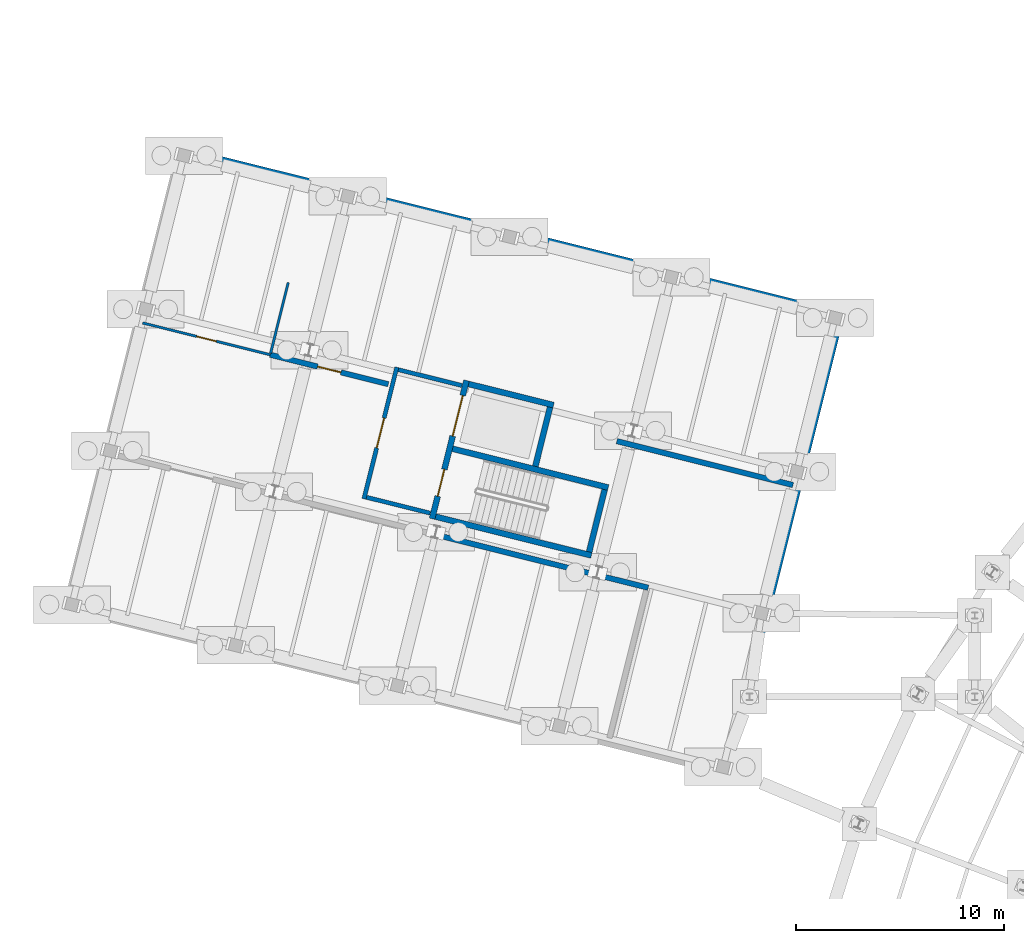
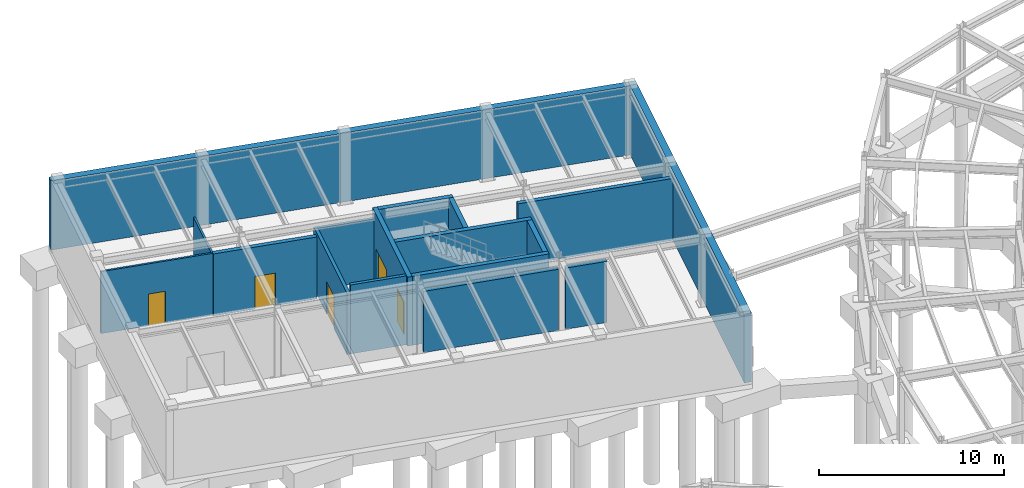
# One storey, part 43 of 50: 17 walls, 5 doors, 5 openings.
"""IFC4 building model written with IfcOpenShell, lengths in metres."""

from ifc_helpers import new_model, si_unit, direction, frame, frame_2d, origin, place, context, subcontext, project, spatial, rectangle, extrude, material, layer, layer_set, type_object, element, fill, save


model = new_model("IFC4")

# Units and contexts
model_context = context("Model", 3, precision=1e-05, world=origin(), true_north=direction((0.0, 1.0)))
body_context = subcontext(model_context, "Body", "Model", "MODEL_VIEW")
ifc_project = project(units=[si_unit("LENGTHUNIT", "METRE"), si_unit("AREAUNIT", "SQUARE_METRE"), si_unit("VOLUMEUNIT", "CUBIC_METRE"), si_unit("PLANEANGLEUNIT", "RADIAN"), si_unit("MASSUNIT", "GRAM", prefix="KILO")], contexts=[model_context])

# Site, building, storey
site_placement = place(None, origin())
site = spatial("IfcSite", under=ifc_project, at=site_placement, CompositionType="ELEMENT")
building_placement = place(site_placement, origin())
building = spatial("IfcBuilding", under=site, at=building_placement, Name="Varnklinge Art Gallery", CompositionType="ELEMENT")
storey_placement = place(building_placement, frame((0.0, 0.0, -4.800048828125)))
storey = spatial("IfcBuildingStorey", under=building, at=storey_placement, Name="B01", CompositionType="ELEMENT", Elevation=-4.800048828125)

# Wall, opening, door
ifc_material_1 = material(Name="Gypsum Board Partition", Category="gypsum")
ifc_layer_1 = layer(ifc_material_1, 0.1201171875)
ifc_layer_set_1 = layer_set([ifc_layer_1], Name="Gypsum Board Partition")
wall_type_1 = type_object("IfcWallType", Name="IW-12", PredefinedType="PARTITIONING", material=ifc_layer_set_1)
wall_1_placement = place(storey_placement, frame((9.086181640625, 99.135009765625, 0.0), z_axis=(0.0, 0.0, 1.0), x_axis=(0.970301709613, -0.241897896483, 0.0)))
wall_1 = element("IfcWall", 1, at=wall_1_placement, inside=storey, type_object=wall_type_1, Name="B01 Partition Wall IW-B01-0025", PredefinedType="PARTITIONING", context=body_context, shape_type="SweptSolid", body=[
    extrude(rectangle(XDim=6.305908203125, YDim=0.1201171875, at=frame_2d((3.15283203125, 0.0))), origin(), (0.0, 0.0, 1.0), 4.090087890625),
])
opening_1_placement = place(wall_1_placement, frame((2.673095703125, 0.0, 0.0)))
opening_1 = element("IfcOpeningElement", 2, at=opening_1_placement, cuts=wall_1, Name="Opening D-B01-127", PredefinedType="OPENING", context=body_context, shape_type="SweptSolid", body=[
    extrude(rectangle(XDim=0.9599609375, YDim=2.10009765625, at=frame_2d((0.47998046875, 1.050048828125))), frame((0.0, 0.070068359375, 0.0), z_axis=(0.0, -1.0, 0.0), x_axis=(1.0, 0.0, 0.0)), (0.0, 0.0, 1.0), 0.14013671875),
])
ifc_material_2 = material(Name="Oak Timber Leaf", Category="wood")
door_type_1 = type_object("IfcDoorType", Name="ID-02", OperationType="SINGLE_SWING_RIGHT", PredefinedType="DOOR", material=ifc_material_2)
door_1_placement = place(opening_1_placement, origin())
door_1 = element("IfcDoor", 3, at=door_1_placement, inside=storey, type_object=door_type_1, Name="B01 B01 Staff Accessible WC Door D-B01-127", OperationType="SINGLE_SWING_LEFT", OverallHeight=2.10009765625, OverallWidth=0.9599609375, PredefinedType="DOOR", context=body_context, shape_type="SweptSolid", body=[
    extrude(rectangle(XDim=0.9599609375, YDim=2.10009765625, at=frame_2d((0.47998046875, 1.050048828125))), frame((0.0, 0.02490234375, 0.0), z_axis=(0.0, -1.0, 0.0), x_axis=(1.0, 0.0, 0.0)), (0.0, 0.0, 1.0), 0.050048828125),
])
fill(opening_1, door_1)

# Walls
wall_2_placement = place(storey_placement, frame((16.068603515625, 101.073486328125, 0.0), z_axis=(0.0, 0.0, 1.0), x_axis=(-0.241976747044, -0.970282048628, 0.0)))
element("IfcWall", 4, at=wall_2_placement, inside=storey, type_object=wall_type_1, Name="B01 Partition Wall IW-B01-0037", PredefinedType="PARTITIONING", context=body_context, shape_type="SweptSolid", body=[
    extrude(rectangle(XDim=3.494873046875, YDim=0.1201171875, at=frame_2d((1.74755859375, 0.0))), origin(), (0.0, 0.0, 1.0), 4.0400390625),
])
ifc_material_3 = material(Name="Concrete C40/50", Category="concrete")
ifc_layer_2 = layer(ifc_material_3, 0.199951171875)
ifc_layer_set_2 = layer_set([ifc_layer_2], Name="Concrete C40/50")
wall_type_2 = type_object("IfcWallType", Name="IW-20", PredefinedType="PARTITIONING", material=ifc_layer_set_2)
wall_3_placement = place(storey_placement, frame((19.824462890625, 90.770263671875, 0.0), z_axis=(0.0, 0.0, 1.0), x_axis=(0.970306396763, -0.241879094592, 0.0)))
element("IfcWall", 5, at=wall_3_placement, inside=storey, type_object=wall_type_2, Name="B01 Core C4 Lobby South Wall", PredefinedType="PARTITIONING", context=body_context, shape_type="SweptSolid", body=[
    extrude(rectangle(XDim=3.150146484375, YDim=0.199951171875, at=frame_2d((1.5751953125, 0.0))), origin(), (0.0, 0.0, 1.0), 4.550048828125),
])
wall_4_placement = place(storey_placement, frame((24.407470703125, 96.130859375, 0.0), z_axis=(0.0, 0.0, 1.0), x_axis=(-0.970301862046, 0.241897285042, 0.0)))
element("IfcWall", 6, at=wall_4_placement, inside=storey, type_object=wall_type_2, Name="B01 Core C4 Lobby North Wall", PredefinedType="PARTITIONING", context=body_context, shape_type="SweptSolid", body=[
    extrude(rectangle(XDim=3.14990234375, YDim=0.199951171875, at=frame_2d((1.574951171875, 0.0))), origin(), (0.0, 0.0, 1.0), 4.0400390625),
])

# Wall, opening, door
wall_5_placement = place(storey_placement, frame((19.703369140625, 90.697509765625, 0.0), z_axis=(0.0, 0.0, 1.0), x_axis=(0.24192671796, 0.970294523914, 0.0)))
wall_5 = element("IfcWall", 7, at=wall_5_placement, inside=storey, type_object=wall_type_2, Name="B01 Core C4 Lobby Corridor Wall", PredefinedType="PARTITIONING", context=body_context, shape_type="SweptSolid", body=[
    extrude(rectangle(XDim=6.510009765625, YDim=0.199951171875, at=frame_2d((3.2548828125, 0.0))), origin(), (0.0, 0.0, 1.0), 4.0400390625),
])
opening_2_placement = place(wall_5_placement, frame((2.514892578125, 0.0, 0.0)))
opening_2 = element("IfcOpeningElement", 8, at=opening_2_placement, cuts=wall_5, Name="Opening D-B01-063", PredefinedType="OPENING", context=body_context, shape_type="SweptSolid", body=[
    extrude(rectangle(XDim=1.47998046875, YDim=2.14990234375, at=frame_2d((0.739990234375, 1.074951171875))), frame((0.0, 0.110107421875, 0.0), z_axis=(0.0, -1.0, 0.0), x_axis=(1.0, 0.0, 0.0)), (0.0, 0.0, 1.0), 0.219970703125),
])
ifc_material_4 = material(Name="Galvanised Fire-Rated Steel", Category="steel")
door_type_2 = type_object("IfcDoorType", Name="ID-LB1", OperationType="DOUBLE_DOOR_SINGLE_SWING", PredefinedType="DOOR", material=ifc_material_4)
door_2_placement = place(opening_2_placement, origin())
door_2 = element("IfcDoor", 9, at=door_2_placement, inside=storey, type_object=door_type_2, Name="B01 Core C4 Protected Lobby Door D-B01-063", OperationType="DOUBLE_DOOR_SINGLE_SWING", OverallHeight=2.14990234375, OverallWidth=1.47998046875, PredefinedType="DOOR", context=body_context, shape_type="SweptSolid", body=[
    extrude(rectangle(XDim=1.47998046875, YDim=2.14990234375, at=frame_2d((0.739990234375, 1.074951171875))), frame((0.0, 0.02490234375, 0.0), z_axis=(0.0, -1.0, 0.0), x_axis=(1.0, 0.0, 0.0)), (0.0, 0.0, 1.0), 0.050048828125),
])
fill(opening_2, door_2)

# Walls
ifc_material_5 = material(Name="Concrete C40/50", Category="concrete")
ifc_layer_3 = layer(ifc_material_5, 0.260009765625)
ifc_layer_set_3 = layer_set([ifc_layer_3], Name="Concrete C40/50")
wall_type_3 = type_object("IfcWallType", Name="IW-26", PredefinedType="PARTITIONING", material=ifc_layer_set_3)
wall_6_placement = place(storey_placement, frame((30.688720703125, 87.09130859375, 0.0), z_axis=(0.0, 0.0, 1.0), x_axis=(-0.970295427473, 0.241923094029, 0.0)))
element("IfcWall", 10, at=wall_6_placement, inside=storey, type_object=wall_type_3, Name="B01 Partition Wall IW-B01-0028", PredefinedType="PARTITIONING", context=body_context, shape_type="SweptSolid", body=[
    extrude(rectangle(XDim=7.596923828125, YDim=0.260009765625, at=frame_2d((3.79833984375, 0.0))), origin(), (0.0, 0.0, 1.0), 4.0400390625),
])
wall_7_placement = place(storey_placement, frame((33.339111328125, 86.430419921875, 0.0), z_axis=(0.0, 0.0, 1.0), x_axis=(-0.970308784597, 0.241869515512, 0.0)))
element("IfcWall", 11, at=wall_7_placement, inside=storey, type_object=wall_type_3, Name="B01 Partition Wall IW-B01-0029", PredefinedType="PARTITIONING", context=body_context, shape_type="SweptSolid", body=[
    extrude(rectangle(XDim=2.32861328125, YDim=0.260009765625, at=frame_2d((1.164306640625, 0.0))), origin(), (0.0, 0.0, 1.0), 4.0400390625),
])

# Wall, opening, door
wall_8_placement = place(storey_placement, frame((15.204833984375, 97.609619140625, 0.0), z_axis=(0.0, 0.0, 1.0), x_axis=(0.970294852546, -0.241925399911, 0.0)))
wall_8 = element("IfcWall", 12, at=wall_8_placement, inside=storey, type_object=wall_type_3, Name="B01 Partition Wall IW-B01-0030", PredefinedType="PARTITIONING", context=body_context, shape_type="SweptSolid", body=[
    extrude(rectangle(XDim=5.8369140625, YDim=0.260009765625, at=frame_2d((2.91845703125, 0.0))), origin(), (0.0, 0.0, 1.0), 4.090087890625),
])
opening_3_placement = place(wall_8_placement, frame((2.343505859375, 0.0, 0.0)))
opening_3 = element("IfcOpeningElement", 13, at=opening_3_placement, cuts=wall_8, Name="Opening D-B01-129", PredefinedType="OPENING", context=body_context, shape_type="SweptSolid", body=[
    extrude(rectangle(XDim=1.14990234375, YDim=2.14990234375, at=frame_2d((0.574951171875, 1.074951171875))), frame((0.0, 0.139892578125, 0.0), z_axis=(0.0, -1.0, 0.0), x_axis=(1.0, 0.0, 0.0)), (0.0, 0.0, 1.0), 0.280029296875),
])
ifc_material_6 = material(Name="Galvanised Fire-Rated Steel", Category="steel")
door_type_3 = type_object("IfcDoorType", Name="ID-05", OperationType="SINGLE_SWING_LEFT", PredefinedType="DOOR", material=ifc_material_6)
door_3_placement = place(opening_3_placement, origin())
door_3 = element("IfcDoor", 14, at=door_3_placement, inside=storey, type_object=door_type_3, Name="B01 B01 Archival Conservation Vault Door D-B01-129", OperationType="SINGLE_SWING_LEFT", OverallHeight=2.14990234375, OverallWidth=1.14990234375, PredefinedType="DOOR", context=body_context, shape_type="SweptSolid", body=[
    extrude(rectangle(XDim=1.14990234375, YDim=2.14990234375, at=frame_2d((0.574951171875, 1.074951171875))), frame((0.0, 0.02490234375, 0.0), z_axis=(0.0, -1.0, 0.0), x_axis=(1.0, 0.0, 0.0)), (0.0, 0.0, 1.0), 0.050048828125),
])
fill(opening_3, door_3)

# Walls
wall_9_placement = place(storey_placement, frame((31.832763671875, 93.463623046875, 0.0), z_axis=(0.0, 0.0, 1.0), x_axis=(0.970295661542, -0.241922155234, 0.0)))
element("IfcWall", 15, at=wall_9_placement, inside=storey, type_object=wall_type_3, Name="B01 Partition Wall IW-B01-0031", PredefinedType="PARTITIONING", context=body_context, shape_type="SweptSolid", body=[
    extrude(rectangle(XDim=8.709228515625, YDim=0.260009765625, at=frame_2d((4.3544921875, 0.0))), origin(), (0.0, 0.0, 1.0), 4.090087890625),
])
ifc_material_7 = material(Name="Concrete C40/50", Category="concrete")
ifc_layer_4 = layer(ifc_material_7, 0.419921875)
ifc_layer_set_4 = layer_set([ifc_layer_4], Name="Concrete C40/50")
wall_type_4 = type_object("IfcWallType", Name="RW-42", PredefinedType="USERDEFINED", material=ifc_layer_set_4)
wall_10_placement = place(storey_placement, frame((10.721435546875, 107.4462890625, 0.0), z_axis=(0.0, 0.0, 1.0), x_axis=(0.970295598121, -0.241922409599, 0.0)))
element("IfcWall", 16, at=wall_10_placement, inside=storey, type_object=wall_type_4, Name="B01 Exterior Wall RW-V5-B01-02", ObjectType="RETAINING WALL", PredefinedType="USERDEFINED", context=body_context, shape_type="SweptSolid", body=[
    extrude(rectangle(XDim=32.7900390625, YDim=0.419921875, at=frame_2d((16.39501953125, 0.0))), origin(), (0.0, 0.0, 1.0), 4.550048828125),
])
wall_11_placement = place(storey_placement, frame((42.588134765625, 99.717529296875, 0.0), z_axis=(0.0, 0.0, 1.0), x_axis=(-0.241923066972, -0.970295434219, 0.0)))
element("IfcWall", 17, at=wall_11_placement, inside=storey, type_object=wall_type_4, Name="B01 Exterior Wall RW-V5-B01-03", ObjectType="RETAINING WALL", PredefinedType="USERDEFINED", context=body_context, shape_type="SweptSolid", body=[
    extrude(rectangle(XDim=22.7900390625, YDim=0.419921875, at=frame_2d((11.39501953125, 0.0))), origin(), (0.0, 0.0, 1.0), 4.550048828125),
])
ifc_material_8 = material(Name="Concrete C40/50", Category="concrete")
ifc_layer_5 = layer(ifc_material_8, 0.280029296875)
ifc_layer_set_5 = layer_set([ifc_layer_5], Name="Concrete C40/50")
wall_type_5 = type_object("IfcWallType", Name="SW-28", PredefinedType="SHEAR", material=ifc_layer_set_5)
wall_12_placement = place(storey_placement, frame((23.13818359375, 89.841064453125, 0.0), z_axis=(0.0, 0.0, 1.0), x_axis=(0.970295246537, -0.24192381972, 0.0)))
element("IfcWall", 18, at=wall_12_placement, inside=storey, type_object=wall_type_5, Name="B01 Core C4 South Shear Wall", PredefinedType="SHEAR", context=body_context, shape_type="SweptSolid", body=[
    extrude(rectangle(XDim=7.699951171875, YDim=0.280029296875, at=frame_2d((3.85009765625, 0.0))), origin(), (0.0, 0.0, 1.0), 4.550048828125),
])
wall_13_placement = place(storey_placement, frame((30.507568359375, 88.14794921875, 0.0), z_axis=(0.0, 0.0, 1.0), x_axis=(0.241920098373, 0.970296174373, 0.0)))
element("IfcWall", 19, at=wall_13_placement, inside=storey, type_object=wall_type_5, Name="B01 Core C4 East Shear Wall", PredefinedType="SHEAR", context=body_context, shape_type="SweptSolid", body=[
    extrude(rectangle(XDim=3.080078125, YDim=0.280029296875, at=frame_2d((1.5400390625, 0.0))), origin(), (0.0, 0.0, 1.0), 4.550048828125),
])
wall_14_placement = place(storey_placement, frame((31.42236328125, 91.238525390625, 0.0), z_axis=(0.0, 0.0, 1.0), x_axis=(-0.970297102167, 0.241916377137, 0.0)))
element("IfcWall", 20, at=wall_14_placement, inside=storey, type_object=wall_type_5, Name="B01 Core C4 Dividing Shear Wall", PredefinedType="SHEAR", context=body_context, shape_type="SweptSolid", body=[
    extrude(rectangle(XDim=7.7001953125, YDim=0.280029296875, at=frame_2d((3.85009765625, 0.0))), origin(), (0.0, 0.0, 1.0), 4.550048828125),
])
wall_15_placement = place(storey_placement, frame((27.92431640625, 92.2548828125, 0.0), z_axis=(0.0, 0.0, 1.0), x_axis=(0.241886356621, 0.970304586447, 0.0)))
element("IfcWall", 21, at=wall_15_placement, inside=storey, type_object=wall_type_5, Name="B01 Core C4 Lift East Shear Wall", PredefinedType="SHEAR", context=body_context, shape_type="SweptSolid", body=[
    extrude(rectangle(XDim=2.919921875, YDim=0.280029296875, at=frame_2d((1.4599609375, 0.0))), origin(), (0.0, 0.0, 1.0), 4.550048828125),
])
wall_16_placement = place(storey_placement, frame((28.80029296875, 95.190185546875, 0.0), z_axis=(0.0, 0.0, 1.0), x_axis=(-0.970292765557, 0.241933770084, 0.0)))
element("IfcWall", 22, at=wall_16_placement, inside=storey, type_object=wall_type_5, Name="B01 Core C4 Lift North Shear Wall", PredefinedType="SHEAR", context=body_context, shape_type="SweptSolid", body=[
    extrude(rectangle(XDim=4.199951171875, YDim=0.280029296875, at=frame_2d((2.10009765625, 0.0))), origin(), (0.0, 0.0, 1.0), 4.550048828125),
])

# Wall, openings, doors
wall_17_placement = place(storey_placement, frame((24.623291015625, 96.3759765625, 0.0), z_axis=(0.0, 0.0, 1.0), x_axis=(-0.241922508616, -0.970295573434, 0.0)))
wall_17 = element("IfcWall", 23, at=wall_17_placement, inside=storey, type_object=wall_type_5, Name="B01 Core C4 Front Shear Wall", PredefinedType="SHEAR", context=body_context, shape_type="SweptSolid", body=[
    extrude(rectangle(XDim=6.840087890625, YDim=0.280029296875, at=frame_2d((3.419921875, 0.0))), origin(), (0.0, 0.0, 1.0), 4.550048828125),
])
opening_4_placement = place(wall_17_placement, frame((0.75, 0.0, 0.0)))
opening_4 = element("IfcOpeningElement", 24, at=opening_4_placement, cuts=wall_17, Name="Opening LD-B01-061", PredefinedType="OPENING", context=body_context, shape_type="SweptSolid", body=[
    extrude(rectangle(XDim=2.0, YDim=2.300048828125, at=frame_2d((1.0, 1.14990234375))), frame((0.0, 0.150146484375, 0.0), z_axis=(0.0, -1.0, 0.0), x_axis=(1.0, 0.0, 0.0)), (0.0, 0.0, 1.0), 0.300048828125),
])
opening_5_placement = place(wall_17_placement, frame((4.39990234375, 0.0, 0.0)))
opening_5 = element("IfcOpeningElement", 25, at=opening_5_placement, cuts=wall_17, Name="Opening D-B01-062", PredefinedType="OPENING", context=body_context, shape_type="SweptSolid", body=[
    extrude(rectangle(XDim=1.320068359375, YDim=2.1201171875, at=frame_2d((0.66015625, 1.06005859375))), frame((0.0, 0.150146484375, 0.0), z_axis=(0.0, -1.0, 0.0), x_axis=(1.0, 0.0, 0.0)), (0.0, 0.0, 1.0), 0.300048828125),
])
ifc_material_9 = material(Name="Galvanised Fire-Rated Steel", Category="steel")
door_type_4 = type_object("IfcDoorType", Name="ID-ST1", OperationType="SINGLE_SWING_LEFT", PredefinedType="DOOR", material=ifc_material_9)
door_4_placement = place(opening_5_placement, origin())
door_4 = element("IfcDoor", 26, at=door_4_placement, inside=storey, type_object=door_type_4, Name="B01 Stair ST-04 Fire Door D-B01-062", OperationType="SINGLE_SWING_LEFT", OverallHeight=2.1201171875, OverallWidth=1.320068359375, PredefinedType="DOOR", context=body_context, shape_type="SweptSolid", body=[
    extrude(rectangle(XDim=1.320068359375, YDim=2.1201171875, at=frame_2d((0.66015625, 1.06005859375))), frame((0.0, 0.02490234375, 0.0), z_axis=(0.0, -1.0, 0.0), x_axis=(1.0, 0.0, 0.0)), (0.0, 0.0, 1.0), 0.050048828125),
])
fill(opening_5, door_4)
ifc_material_10 = material(Name="Anodised Aluminium", Category="aluminium")
door_type_5 = type_object("IfcDoorType", Name="LD-GDS", OperationType="SLIDING_TO_LEFT", PredefinedType="DOOR", material=ifc_material_10)
door_5_placement = place(opening_4_placement, origin())
door_5 = element("IfcDoor", 27, at=door_5_placement, inside=storey, type_object=door_type_5, Name="B01 Goods Lift Sliding Landing Door LD-B01-061", OperationType="SLIDING_TO_LEFT", OverallHeight=2.300048828125, OverallWidth=2.0, PredefinedType="DOOR", context=body_context, shape_type="SweptSolid", body=[
    extrude(rectangle(XDim=2.0, YDim=2.300048828125, at=frame_2d((1.0, 1.14990234375))), frame((0.0, 0.02490234375, 0.0), z_axis=(0.0, -1.0, 0.0), x_axis=(1.0, 0.0, 0.0)), (0.0, 0.0, 1.0), 0.050048828125),
])
fill(opening_4, door_5)

save(model, "model.ifc")
